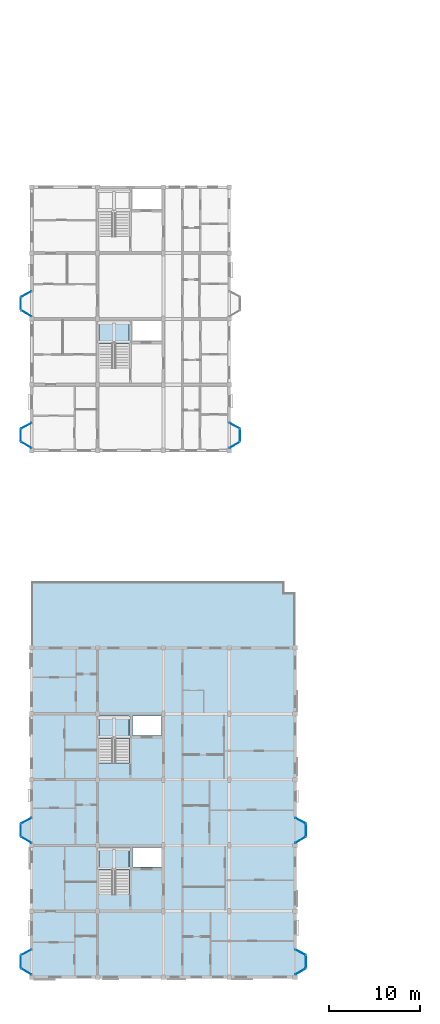
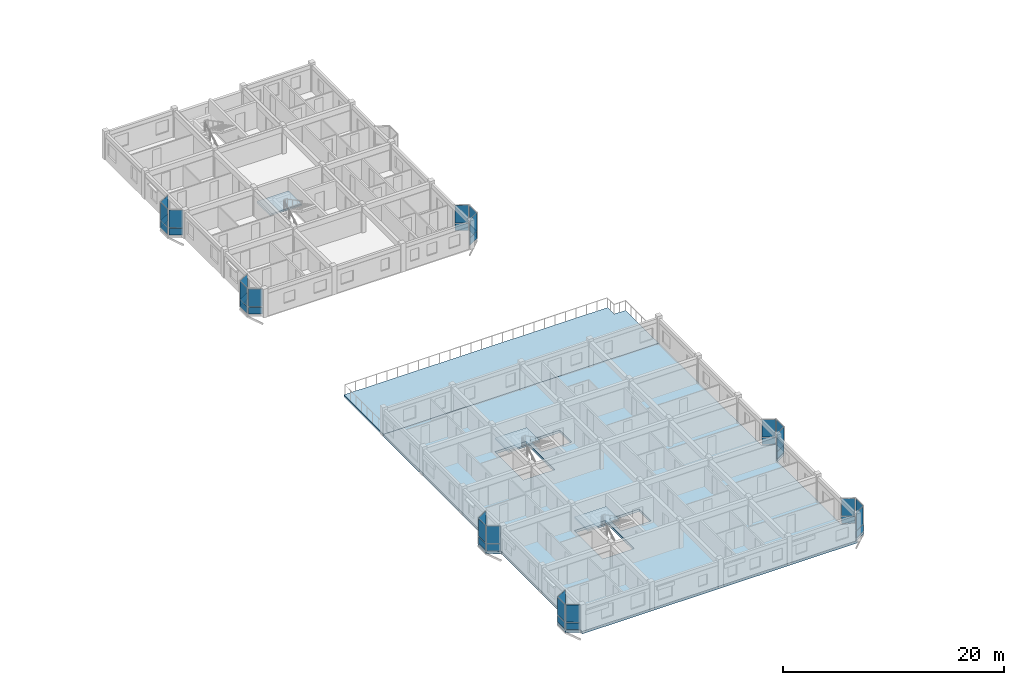
# One storey, part 42 of 70: 42 plates, 5 slabs, 24 elements without a shape of their own.
"""IFC4 building model written with IfcOpenShell, lengths in metres."""

from ifc_helpers import new_model, si_unit, direction, frame, origin, origin_2d, place, context, subcontext, project, spatial, polyline, rectangle, outline, extrude, material, layer, layer_set, type_object, element, aggregate, save


model = new_model("IFC4")

# Units and contexts
model_context = context("Model", 3, precision=1e-05, world=origin(), true_north=direction((0.0, 1.0)))
body_context = subcontext(model_context, "Body", "Model", "MODEL_VIEW")
ifc_project = project(units=[si_unit("LENGTHUNIT", "METRE"), si_unit("AREAUNIT", "SQUARE_METRE"), si_unit("VOLUMEUNIT", "CUBIC_METRE"), si_unit("PLANEANGLEUNIT", "RADIAN"), si_unit("MASSUNIT", "GRAM", prefix="KILO"), si_unit("THERMODYNAMICTEMPERATUREUNIT", "KELVIN"), si_unit("POWERUNIT", "WATT")], contexts=[model_context])

# Site, building, storey
site_placement = place(None, origin())
site = spatial("IfcSite", under=ifc_project, at=site_placement, CompositionType="ELEMENT")
building_placement = place(site_placement, origin())
building = spatial("IfcBuilding", under=site, at=building_placement, Name="Tavuni Mirador Residences", CompositionType="ELEMENT")
storey_placement = place(building_placement, frame((0.0, 0.0, 23.39990234375)))
storey = spatial("IfcBuildingStorey", under=building, at=storey_placement, Name="L07", CompositionType="ELEMENT", Elevation=23.39990234375)

# Curtain wall, plate
ifc_material_1 = material(Name="Anodised aluminium", Category="aluminium")
ifc_layer_1 = layer(ifc_material_1, 0.1650390625, Name="Anodised aluminium", Category="aluminium")
ifc_layer_set_1 = layer_set([ifc_layer_1], Name="Anodised aluminium")
curtain_wall_type_1 = type_object("IfcCurtainWallType", Name="CWT-MIR-A", PredefinedType="NOTDEFINED", material=ifc_layer_set_1)
curtain_wall_1_placement = place(storey_placement, origin())
curtain_wall_1 = element("IfcCurtainWall", 1, at=curtain_wall_1_placement, inside=storey, type_object=curtain_wall_type_1, Name="CW-MIR-A-E2-L07-M1", PredefinedType="NOTDEFINED")
ifc_material_2 = material(Name="Laminated solar-control glass", Category="glass")
ifc_layer_2 = layer(ifc_material_2, 0.02392578125, Name="Laminated solar-control glass", Category="glass")
ifc_layer_set_2 = layer_set([ifc_layer_2], Name="Laminated solar-control glass")
plate_type_1 = type_object("IfcPlateType", Name="CWP-GL24", PredefinedType="CURTAIN_PANEL", material=ifc_layer_set_2)
plate_1_placement = place(storey_placement, frame((33.0, 22.205078125, 0.88037109375), z_axis=(0.0, 0.0, 1.0), x_axis=(0.860640830284, 0.509212491254, 0.0)))
plate_1 = element("IfcPlate", 2, at=plate_1_placement, type_object=plate_type_1, Name="CW-01 panel 1.2", PredefinedType="CURTAIN_PANEL", context=body_context, shape_type="SweptSolid", body=[
    extrude(rectangle(XDim=1.2744140625, YDim=0.02392578125, at=origin_2d()), origin(), (0.0, 0.0, 1.0), 1.929931640625),
])

curtain_wall_2_placement = place(storey_placement, origin())
curtain_wall_2 = element("IfcCurtainWall", 3, at=curtain_wall_2_placement, inside=storey, type_object=curtain_wall_type_1, Name="CW-MIR-A-W2-L07-MF", PredefinedType="NOTDEFINED")
plate_2_placement = place(storey_placement, frame((2.39990234375, 23.27001953125, 0.88037109375), z_axis=(0.0, 0.0, 1.0), x_axis=(0.0, -1.0, 0.0)))
plate_2 = element("IfcPlate", 4, at=plate_2_placement, type_object=plate_type_1, Name="CW-01 panel 1.2", PredefinedType="CURTAIN_PANEL", context=body_context, shape_type="SweptSolid", body=[
    extrude(rectangle(XDim=1.300048828125, YDim=0.02392578125, at=origin_2d()), origin(), (0.0, 0.0, 1.0), 1.929931640625),
])

curtain_wall_3_placement = place(storey_placement, origin())
curtain_wall_3 = element("IfcCurtainWall", 5, at=curtain_wall_3_placement, inside=storey, type_object=curtain_wall_type_1, Name="CW-MIR-A-W1-L07-M2", PredefinedType="NOTDEFINED")
plate_3_placement = place(storey_placement, frame((3.0, 7.804931640625, 0.88037109375), z_axis=(0.0, 0.0, 1.0), x_axis=(0.860640830284, -0.509212491254, 0.0)))
plate_3 = element("IfcPlate", 6, at=plate_3_placement, type_object=plate_type_1, Name="CW-01 panel 1.2", PredefinedType="CURTAIN_PANEL", context=body_context, shape_type="SweptSolid", body=[
    extrude(rectangle(XDim=1.2744140625, YDim=0.02392578125, at=origin_2d()), origin(), (0.0, 0.0, 1.0), 1.929931640625),
])

curtain_wall_4_placement = place(storey_placement, origin())
curtain_wall_4 = element("IfcCurtainWall", 7, at=curtain_wall_4_placement, inside=storey, type_object=curtain_wall_type_1, Name="CW-MIR-B-E1-L07-M1", PredefinedType="NOTDEFINED")
plate_4_placement = place(storey_placement, frame((25.800048828125, 65.405029296875, 0.8798828125), z_axis=(0.0, 0.0, 1.0), x_axis=(0.860640830284, 0.509212491254, 0.0)))
plate_4 = element("IfcPlate", 8, at=plate_4_placement, type_object=plate_type_1, Name="CW-01 panel 1.2", PredefinedType="CURTAIN_PANEL", context=body_context, shape_type="SweptSolid", body=[
    extrude(rectangle(XDim=1.2744140625, YDim=0.02392578125, at=origin_2d()), origin(), (0.0, 0.0, 1.0), 1.969970703125),
])

curtain_wall_5_placement = place(storey_placement, origin())
curtain_wall_5 = element("IfcCurtainWall", 9, at=curtain_wall_5_placement, inside=storey, type_object=curtain_wall_type_1, Name="CW-MIR-B-W2-L07-M2", PredefinedType="NOTDEFINED")
plate_5_placement = place(storey_placement, frame((3.0, 79.804931640625, 0.8798828125), z_axis=(0.0, 0.0, 1.0), x_axis=(0.860640830284, -0.509212491254, 0.0)))
plate_5 = element("IfcPlate", 10, at=plate_5_placement, type_object=plate_type_1, Name="CW-01 panel 1.2", PredefinedType="CURTAIN_PANEL", context=body_context, shape_type="SweptSolid", body=[
    extrude(rectangle(XDim=1.2744140625, YDim=0.02392578125, at=origin_2d()), origin(), (0.0, 0.0, 1.0), 1.969970703125),
])

ifc_layer_3 = layer(ifc_material_1, 0.14990234375, Name="Anodised aluminium", Category="aluminium")
ifc_layer_set_3 = layer_set([ifc_layer_3], Name="Anodised aluminium")
curtain_wall_type_2 = type_object("IfcCurtainWallType", Name="CWT-MIR-B", PredefinedType="NOTDEFINED", material=ifc_layer_set_3)
curtain_wall_6_placement = place(storey_placement, origin())
curtain_wall_6 = element("IfcCurtainWall", 11, at=curtain_wall_6_placement, inside=storey, type_object=curtain_wall_type_2, Name="CW-MIR-A-E1-L07-M1", PredefinedType="NOTDEFINED")
ifc_layer_4 = layer(ifc_material_2, 0.028076171875, Name="Laminated solar-control glass", Category="glass")
ifc_layer_set_4 = layer_set([ifc_layer_4], Name="Laminated solar-control glass")
plate_type_2 = type_object("IfcPlateType", Name="CWP-GL28", PredefinedType="CURTAIN_PANEL", material=ifc_layer_set_4)
plate_6_placement = place(storey_placement, frame((33.0, 7.804931640625, 0.88232421875), z_axis=(0.0, 0.0, 1.0), x_axis=(0.860640830284, 0.509212491254, 0.0)))
plate_6 = element("IfcPlate", 12, at=plate_6_placement, type_object=plate_type_2, Name="CW-02 panel 1.2", PredefinedType="CURTAIN_PANEL", context=body_context, shape_type="SweptSolid", body=[
    extrude(rectangle(XDim=1.264404296875, YDim=0.028076171875, at=origin_2d()), origin(), (0.0, 0.0, 1.0), 1.922607421875),
])

curtain_wall_7_placement = place(storey_placement, origin())
curtain_wall_7 = element("IfcCurtainWall", 13, at=curtain_wall_7_placement, inside=storey, type_object=curtain_wall_type_2, Name="CW-MIR-A-E2-L07-MF", PredefinedType="NOTDEFINED")
plate_7_placement = place(storey_placement, frame((33.60009765625, 23.27001953125, 0.88232421875), z_axis=(0.0, 0.0, 1.0), x_axis=(0.0, 1.0, 0.0)))
plate_7 = element("IfcPlate", 14, at=plate_7_placement, type_object=plate_type_2, Name="CW-02 panel 1.2", PredefinedType="CURTAIN_PANEL", context=body_context, shape_type="SweptSolid", body=[
    extrude(rectangle(XDim=1.2900390625, YDim=0.028076171875, at=origin_2d()), origin(), (0.0, 0.0, 1.0), 1.922607421875),
])

curtain_wall_8_placement = place(storey_placement, origin())
curtain_wall_8 = element("IfcCurtainWall", 15, at=curtain_wall_8_placement, inside=storey, type_object=curtain_wall_type_2, Name="CW-MIR-A-W2-L07-M2", PredefinedType="NOTDEFINED")
plate_8_placement = place(storey_placement, frame((3.0, 22.205078125, 0.88232421875), z_axis=(0.0, 0.0, 1.0), x_axis=(0.860640830284, -0.509212491254, 0.0)))
plate_8 = element("IfcPlate", 16, at=plate_8_placement, type_object=plate_type_2, Name="CW-02 panel 1.2", PredefinedType="CURTAIN_PANEL", context=body_context, shape_type="SweptSolid", body=[
    extrude(rectangle(XDim=1.264404296875, YDim=0.028076171875, at=origin_2d()), origin(), (0.0, 0.0, 1.0), 1.922607421875),
])

curtain_wall_9_placement = place(storey_placement, origin())
curtain_wall_9 = element("IfcCurtainWall", 17, at=curtain_wall_9_placement, inside=storey, type_object=curtain_wall_type_2, Name="CW-MIR-B-E1-L07-MF", PredefinedType="NOTDEFINED")
plate_9_placement = place(storey_placement, frame((26.39990234375, 66.469970703125, 0.882568359375), z_axis=(0.0, 0.0, 1.0), x_axis=(0.0, 1.0, 0.0)))
plate_9 = element("IfcPlate", 18, at=plate_9_placement, type_object=plate_type_2, Name="CW-02 panel 1.2", PredefinedType="CURTAIN_PANEL", context=body_context, shape_type="SweptSolid", body=[
    extrude(rectangle(XDim=1.2900390625, YDim=0.028076171875, at=origin_2d()), origin(), (0.0, 0.0, 1.0), 1.96240234375),
])

curtain_wall_10_placement = place(storey_placement, origin())
curtain_wall_10 = element("IfcCurtainWall", 19, at=curtain_wall_10_placement, inside=storey, type_object=curtain_wall_type_2, Name="CW-MIR-B-W1-L07-M1", PredefinedType="NOTDEFINED")
plate_10_placement = place(storey_placement, frame((3.0, 67.5, 0.882568359375), z_axis=(0.0, 0.0, 1.0), x_axis=(-0.882352941175, -0.470588235296, 0.0)))
plate_10 = element("IfcPlate", 20, at=plate_10_placement, type_object=plate_type_2, Name="CW-02 panel 1.2", PredefinedType="CURTAIN_PANEL", context=body_context, shape_type="SweptSolid", body=[
    extrude(rectangle(XDim=1.22998046875, YDim=0.028076171875, at=origin_2d()), origin(), (0.0, 0.0, 1.0), 1.96240234375),
])

ifc_layer_5 = layer(ifc_material_1, 0.175048828125, Name="Anodised aluminium", Category="aluminium")
ifc_layer_set_5 = layer_set([ifc_layer_5], Name="Anodised aluminium")
curtain_wall_type_3 = type_object("IfcCurtainWallType", Name="CWT-MIR-C", PredefinedType="NOTDEFINED", material=ifc_layer_set_5)
curtain_wall_11_placement = place(storey_placement, origin())
curtain_wall_11 = element("IfcCurtainWall", 21, at=curtain_wall_11_placement, inside=storey, type_object=curtain_wall_type_3, Name="CW-MIR-A-E1-L07-MF", PredefinedType="NOTDEFINED")
ifc_layer_6 = layer(ifc_material_2, 0.031982421875, Name="Laminated solar-control glass", Category="glass")
ifc_layer_set_6 = layer_set([ifc_layer_6], Name="Laminated solar-control glass")
plate_type_3 = type_object("IfcPlateType", Name="CWP-GL32", PredefinedType="CURTAIN_PANEL", material=ifc_layer_set_6)
plate_11_placement = place(storey_placement, frame((33.60009765625, 8.8701171875, 0.88037109375), z_axis=(0.0, 0.0, 1.0), x_axis=(0.0, 1.0, 0.0)))
plate_11 = element("IfcPlate", 22, at=plate_11_placement, type_object=plate_type_3, Name="CW-03 panel 1.2", PredefinedType="CURTAIN_PANEL", context=body_context, shape_type="SweptSolid", body=[
    extrude(rectangle(XDim=1.300048828125, YDim=0.031982421875, at=origin_2d()), origin(), (0.0, 0.0, 1.0), 1.929931640625),
])

curtain_wall_12_placement = place(storey_placement, origin())
curtain_wall_12 = element("IfcCurtainWall", 23, at=curtain_wall_12_placement, inside=storey, type_object=curtain_wall_type_3, Name="CW-MIR-A-E2-L07-M2", PredefinedType="NOTDEFINED")
plate_12_placement = place(storey_placement, frame((33.0, 24.300048828125, 0.88037109375), z_axis=(0.0, 0.0, 1.0), x_axis=(-0.882352941175, 0.470588235296, 0.0)))
plate_12 = element("IfcPlate", 24, at=plate_12_placement, type_object=plate_type_3, Name="CW-03 panel 1.2", PredefinedType="CURTAIN_PANEL", context=body_context, shape_type="SweptSolid", body=[
    extrude(rectangle(XDim=1.239990234375, YDim=0.031982421875, at=origin_2d()), origin(), (0.0, 0.0, 1.0), 1.929931640625),
])

curtain_wall_13_placement = place(storey_placement, origin())
curtain_wall_13 = element("IfcCurtainWall", 25, at=curtain_wall_13_placement, inside=storey, type_object=curtain_wall_type_3, Name="CW-MIR-A-W1-L07-M1", PredefinedType="NOTDEFINED")
plate_13_placement = place(storey_placement, frame((3.0, 9.89990234375, 0.88037109375), z_axis=(0.0, 0.0, 1.0), x_axis=(-0.882352941175, -0.470588235296, 0.0)))
plate_13 = element("IfcPlate", 26, at=plate_13_placement, type_object=plate_type_3, Name="CW-03 panel 1.2", PredefinedType="CURTAIN_PANEL", context=body_context, shape_type="SweptSolid", body=[
    extrude(rectangle(XDim=1.239990234375, YDim=0.031982421875, at=origin_2d()), origin(), (0.0, 0.0, 1.0), 1.929931640625),
])

curtain_wall_14_placement = place(storey_placement, origin())
curtain_wall_14 = element("IfcCurtainWall", 27, at=curtain_wall_14_placement, inside=storey, type_object=curtain_wall_type_3, Name="CW-MIR-B-E1-L07-M2", PredefinedType="NOTDEFINED")
plate_14_placement = place(storey_placement, frame((25.800048828125, 67.5, 0.8798828125), z_axis=(0.0, 0.0, 1.0), x_axis=(-0.882352941175, 0.470588235296, 0.0)))
plate_14 = element("IfcPlate", 28, at=plate_14_placement, type_object=plate_type_3, Name="CW-03 panel 1.2", PredefinedType="CURTAIN_PANEL", context=body_context, shape_type="SweptSolid", body=[
    extrude(rectangle(XDim=1.239990234375, YDim=0.031982421875, at=origin_2d()), origin(), (0.0, 0.0, 1.0), 1.969970703125),
])

curtain_wall_15_placement = place(storey_placement, origin())
curtain_wall_15 = element("IfcCurtainWall", 29, at=curtain_wall_15_placement, inside=storey, type_object=curtain_wall_type_3, Name="CW-MIR-B-W2-L07-M1", PredefinedType="NOTDEFINED")
plate_15_placement = place(storey_placement, frame((3.0, 81.89990234375, 0.8798828125), z_axis=(0.0, 0.0, 1.0), x_axis=(-0.882352941175, -0.470588235296, 0.0)))
plate_15 = element("IfcPlate", 30, at=plate_15_placement, type_object=plate_type_3, Name="CW-03 panel 1.2", PredefinedType="CURTAIN_PANEL", context=body_context, shape_type="SweptSolid", body=[
    extrude(rectangle(XDim=1.239990234375, YDim=0.031982421875, at=origin_2d()), origin(), (0.0, 0.0, 1.0), 1.969970703125),
])

curtain_wall_16_placement = place(storey_placement, origin())
curtain_wall_16 = element("IfcCurtainWall", 31, at=curtain_wall_16_placement, inside=storey, type_object=curtain_wall_type_3, Name="CW-MIR-B-W1-L07-MF", PredefinedType="NOTDEFINED")
plate_16_placement = place(storey_placement, frame((2.39990234375, 66.469970703125, 0.8798828125), z_axis=(0.0, 0.0, 1.0), x_axis=(0.0, -1.0, 0.0)))
plate_16 = element("IfcPlate", 32, at=plate_16_placement, type_object=plate_type_3, Name="CW-03 panel 1.2", PredefinedType="CURTAIN_PANEL", context=body_context, shape_type="SweptSolid", body=[
    extrude(rectangle(XDim=1.300048828125, YDim=0.031982421875, at=origin_2d()), origin(), (0.0, 0.0, 1.0), 1.969970703125),
])

ifc_layer_7 = layer(ifc_material_1, 0.159912109375, Name="Anodised aluminium", Category="aluminium")
ifc_layer_set_7 = layer_set([ifc_layer_7], Name="Anodised aluminium")
curtain_wall_type_4 = type_object("IfcCurtainWallType", Name="CWT-MIR-D", PredefinedType="NOTDEFINED", material=ifc_layer_set_7)
curtain_wall_17_placement = place(storey_placement, origin())
curtain_wall_17 = element("IfcCurtainWall", 33, at=curtain_wall_17_placement, inside=storey, type_object=curtain_wall_type_4, Name="CW-MIR-A-E1-L07-M2", PredefinedType="NOTDEFINED")
ifc_layer_8 = layer(ifc_material_2, 0.035888671875, Name="Laminated solar-control glass", Category="glass")
ifc_layer_set_8 = layer_set([ifc_layer_8], Name="Laminated solar-control glass")
plate_type_4 = type_object("IfcPlateType", Name="CWP-GL36", PredefinedType="CURTAIN_PANEL", material=ifc_layer_set_8)
plate_17_placement = place(storey_placement, frame((33.0, 9.89990234375, 0.88232421875), z_axis=(0.0, 0.0, 1.0), x_axis=(-0.882352941175, 0.470588235296, 0.0)))
plate_17 = element("IfcPlate", 34, at=plate_17_placement, type_object=plate_type_4, Name="CW-04 panel 1.2", PredefinedType="CURTAIN_PANEL", context=body_context, shape_type="SweptSolid", body=[
    extrude(rectangle(XDim=1.22998046875, YDim=0.035888671875, at=origin_2d()), origin(), (0.0, 0.0, 1.0), 1.922607421875),
])

curtain_wall_18_placement = place(storey_placement, origin())
curtain_wall_18 = element("IfcCurtainWall", 35, at=curtain_wall_18_placement, inside=storey, type_object=curtain_wall_type_4, Name="CW-MIR-A-W2-L07-M1", PredefinedType="NOTDEFINED")
plate_18_placement = place(storey_placement, frame((3.0, 24.300048828125, 0.88232421875), z_axis=(0.0, 0.0, 1.0), x_axis=(-0.882352941175, -0.470588235296, 0.0)))
plate_18 = element("IfcPlate", 36, at=plate_18_placement, type_object=plate_type_4, Name="CW-04 panel 1.2", PredefinedType="CURTAIN_PANEL", context=body_context, shape_type="SweptSolid", body=[
    extrude(rectangle(XDim=1.22998046875, YDim=0.035888671875, at=origin_2d()), origin(), (0.0, 0.0, 1.0), 1.922607421875),
])

curtain_wall_19_placement = place(storey_placement, origin())
curtain_wall_19 = element("IfcCurtainWall", 37, at=curtain_wall_19_placement, inside=storey, type_object=curtain_wall_type_4, Name="CW-MIR-A-W1-L07-MF", PredefinedType="NOTDEFINED")
plate_19_placement = place(storey_placement, frame((2.39990234375, 8.8701171875, 0.88232421875), z_axis=(0.0, 0.0, 1.0), x_axis=(0.0, -1.0, 0.0)))
plate_19 = element("IfcPlate", 38, at=plate_19_placement, type_object=plate_type_4, Name="CW-04 panel 1.2", PredefinedType="CURTAIN_PANEL", context=body_context, shape_type="SweptSolid", body=[
    extrude(rectangle(XDim=1.2900390625, YDim=0.035888671875, at=origin_2d()), origin(), (0.0, 0.0, 1.0), 1.922607421875),
])

curtain_wall_20_placement = place(storey_placement, origin())
curtain_wall_20 = element("IfcCurtainWall", 39, at=curtain_wall_20_placement, inside=storey, type_object=curtain_wall_type_4, Name="CW-MIR-B-W2-L07-MF", PredefinedType="NOTDEFINED")
plate_20_placement = place(storey_placement, frame((2.39990234375, 80.8701171875, 0.882568359375), z_axis=(0.0, 0.0, 1.0), x_axis=(0.0, -1.0, 0.0)))
plate_20 = element("IfcPlate", 40, at=plate_20_placement, type_object=plate_type_4, Name="CW-04 panel 1.2", PredefinedType="CURTAIN_PANEL", context=body_context, shape_type="SweptSolid", body=[
    extrude(rectangle(XDim=1.2900390625, YDim=0.035888671875, at=origin_2d()), origin(), (0.0, 0.0, 1.0), 1.96240234375),
])

curtain_wall_21_placement = place(storey_placement, origin())
curtain_wall_21 = element("IfcCurtainWall", 41, at=curtain_wall_21_placement, inside=storey, type_object=curtain_wall_type_4, Name="CW-MIR-B-W1-L07-M2", PredefinedType="NOTDEFINED")
plate_21_placement = place(storey_placement, frame((3.0, 65.405029296875, 0.882568359375), z_axis=(0.0, 0.0, 1.0), x_axis=(0.860640830284, -0.509212491254, 0.0)))
plate_21 = element("IfcPlate", 42, at=plate_21_placement, type_object=plate_type_4, Name="CW-04 panel 1.2", PredefinedType="CURTAIN_PANEL", context=body_context, shape_type="SweptSolid", body=[
    extrude(rectangle(XDim=1.264404296875, YDim=0.035888671875, at=origin_2d()), origin(), (0.0, 0.0, 1.0), 1.96240234375),
])

# Plate
ifc_material_3 = material(Name="Ceramic trencadis mosaic panel", Category="masonry")
ifc_layer_9 = layer(ifc_material_3, 0.0419921875, Name="Ceramic trencadis mosaic panel", Category="masonry")
ifc_layer_set_9 = layer_set([ifc_layer_9], Name="Ceramic trencadis mosaic panel")
plate_type_5 = type_object("IfcPlateType", Name="CWP-SP42", PredefinedType="CURTAIN_PANEL", material=ifc_layer_set_9)
plate_22_placement = place(storey_placement, frame((33.60009765625, 8.8701171875, 0.06005859375), z_axis=(0.0, 0.0, 1.0), x_axis=(0.0, 1.0, 0.0)))
plate_22 = element("IfcPlate", 43, at=plate_22_placement, type_object=plate_type_5, Name="CW-03 panel 1.1", PredefinedType="CURTAIN_PANEL", context=body_context, shape_type="SweptSolid", body=[
    extrude(rectangle(XDim=1.300048828125, YDim=0.0419921875, at=origin_2d()), origin(), (0.0, 0.0, 1.0), 0.760009765625),
])

aggregate(curtain_wall_11, [plate_22, plate_11])

plate_23_placement = place(storey_placement, frame((33.0, 22.205078125, 0.06005859375), z_axis=(0.0, 0.0, 1.0), x_axis=(0.860640830284, 0.509212491254, 0.0)))
plate_23 = element("IfcPlate", 44, at=plate_23_placement, type_object=plate_type_5, Name="CW-01 panel 1.1", PredefinedType="CURTAIN_PANEL", context=body_context, shape_type="SweptSolid", body=[
    extrude(rectangle(XDim=1.2744140625, YDim=0.0419921875, at=origin_2d()), origin(), (0.0, 0.0, 1.0), 0.760009765625),
])

aggregate(curtain_wall_1, [plate_23, plate_1])

plate_24_placement = place(storey_placement, frame((33.0, 24.300048828125, 0.06005859375), z_axis=(0.0, 0.0, 1.0), x_axis=(-0.882352941175, 0.470588235296, 0.0)))
plate_24 = element("IfcPlate", 45, at=plate_24_placement, type_object=plate_type_5, Name="CW-03 panel 1.1", PredefinedType="CURTAIN_PANEL", context=body_context, shape_type="SweptSolid", body=[
    extrude(rectangle(XDim=1.239990234375, YDim=0.0419921875, at=origin_2d()), origin(), (0.0, 0.0, 1.0), 0.760009765625),
])

aggregate(curtain_wall_12, [plate_24, plate_12])

plate_25_placement = place(storey_placement, frame((2.39990234375, 23.27001953125, 0.06005859375), z_axis=(0.0, 0.0, 1.0), x_axis=(0.0, -1.0, 0.0)))
plate_25 = element("IfcPlate", 46, at=plate_25_placement, type_object=plate_type_5, Name="CW-01 panel 1.1", PredefinedType="CURTAIN_PANEL", context=body_context, shape_type="SweptSolid", body=[
    extrude(rectangle(XDim=1.300048828125, YDim=0.0419921875, at=origin_2d()), origin(), (0.0, 0.0, 1.0), 0.760009765625),
])

aggregate(curtain_wall_2, [plate_25, plate_2])

plate_26_placement = place(storey_placement, frame((3.0, 9.89990234375, 0.06005859375), z_axis=(0.0, 0.0, 1.0), x_axis=(-0.882352941175, -0.470588235296, 0.0)))
plate_26 = element("IfcPlate", 47, at=plate_26_placement, type_object=plate_type_5, Name="CW-03 panel 1.1", PredefinedType="CURTAIN_PANEL", context=body_context, shape_type="SweptSolid", body=[
    extrude(rectangle(XDim=1.239990234375, YDim=0.0419921875, at=origin_2d()), origin(), (0.0, 0.0, 1.0), 0.760009765625),
])

aggregate(curtain_wall_13, [plate_26, plate_13])

plate_27_placement = place(storey_placement, frame((3.0, 7.804931640625, 0.06005859375), z_axis=(0.0, 0.0, 1.0), x_axis=(0.860640830284, -0.509212491254, 0.0)))
plate_27 = element("IfcPlate", 48, at=plate_27_placement, type_object=plate_type_5, Name="CW-01 panel 1.1", PredefinedType="CURTAIN_PANEL", context=body_context, shape_type="SweptSolid", body=[
    extrude(rectangle(XDim=1.2744140625, YDim=0.0419921875, at=origin_2d()), origin(), (0.0, 0.0, 1.0), 0.760009765625),
])

aggregate(curtain_wall_3, [plate_27, plate_3])

plate_28_placement = place(storey_placement, frame((25.800048828125, 65.405029296875, 0.06005859375), z_axis=(0.0, 0.0, 1.0), x_axis=(0.860640830284, 0.509212491254, 0.0)))
plate_28 = element("IfcPlate", 49, at=plate_28_placement, type_object=plate_type_5, Name="CW-01 panel 1.1", PredefinedType="CURTAIN_PANEL", context=body_context, shape_type="SweptSolid", body=[
    extrude(rectangle(XDim=1.2744140625, YDim=0.0419921875, at=origin_2d()), origin(), (0.0, 0.0, 1.0), 0.760009765625),
])

aggregate(curtain_wall_4, [plate_28, plate_4])

plate_29_placement = place(storey_placement, frame((25.800048828125, 67.5, 0.06005859375), z_axis=(0.0, 0.0, 1.0), x_axis=(-0.882352941175, 0.470588235296, 0.0)))
plate_29 = element("IfcPlate", 50, at=plate_29_placement, type_object=plate_type_5, Name="CW-03 panel 1.1", PredefinedType="CURTAIN_PANEL", context=body_context, shape_type="SweptSolid", body=[
    extrude(rectangle(XDim=1.239990234375, YDim=0.0419921875, at=origin_2d()), origin(), (0.0, 0.0, 1.0), 0.760009765625),
])

aggregate(curtain_wall_14, [plate_29, plate_14])

plate_30_placement = place(storey_placement, frame((3.0, 81.89990234375, 0.06005859375), z_axis=(0.0, 0.0, 1.0), x_axis=(-0.882352941175, -0.470588235296, 0.0)))
plate_30 = element("IfcPlate", 51, at=plate_30_placement, type_object=plate_type_5, Name="CW-03 panel 1.1", PredefinedType="CURTAIN_PANEL", context=body_context, shape_type="SweptSolid", body=[
    extrude(rectangle(XDim=1.239990234375, YDim=0.0419921875, at=origin_2d()), origin(), (0.0, 0.0, 1.0), 0.760009765625),
])

aggregate(curtain_wall_15, [plate_30, plate_15])

plate_31_placement = place(storey_placement, frame((3.0, 79.804931640625, 0.06005859375), z_axis=(0.0, 0.0, 1.0), x_axis=(0.860640830284, -0.509212491254, 0.0)))
plate_31 = element("IfcPlate", 52, at=plate_31_placement, type_object=plate_type_5, Name="CW-01 panel 1.1", PredefinedType="CURTAIN_PANEL", context=body_context, shape_type="SweptSolid", body=[
    extrude(rectangle(XDim=1.2744140625, YDim=0.0419921875, at=origin_2d()), origin(), (0.0, 0.0, 1.0), 0.760009765625),
])

aggregate(curtain_wall_5, [plate_31, plate_5])

plate_32_placement = place(storey_placement, frame((2.39990234375, 66.469970703125, 0.06005859375), z_axis=(0.0, 0.0, 1.0), x_axis=(0.0, -1.0, 0.0)))
plate_32 = element("IfcPlate", 53, at=plate_32_placement, type_object=plate_type_5, Name="CW-03 panel 1.1", PredefinedType="CURTAIN_PANEL", context=body_context, shape_type="SweptSolid", body=[
    extrude(rectangle(XDim=1.300048828125, YDim=0.0419921875, at=origin_2d()), origin(), (0.0, 0.0, 1.0), 0.760009765625),
])

aggregate(curtain_wall_16, [plate_32, plate_16])

ifc_layer_10 = layer(ifc_material_3, 0.048095703125, Name="Ceramic trencadis mosaic panel", Category="masonry")
ifc_layer_set_10 = layer_set([ifc_layer_10], Name="Ceramic trencadis mosaic panel")
plate_type_6 = type_object("IfcPlateType", Name="CWP-SP48", PredefinedType="CURTAIN_PANEL", material=ifc_layer_set_10)
plate_33_placement = place(storey_placement, frame((33.0, 7.804931640625, 0.065185546875), z_axis=(0.0, 0.0, 1.0), x_axis=(0.860640830284, 0.509212491254, 0.0)))
plate_33 = element("IfcPlate", 54, at=plate_33_placement, type_object=plate_type_6, Name="CW-02 panel 1.1", PredefinedType="CURTAIN_PANEL", context=body_context, shape_type="SweptSolid", body=[
    extrude(rectangle(XDim=1.264404296875, YDim=0.048095703125, at=origin_2d()), origin(), (0.0, 0.0, 1.0), 0.75244140625),
])

aggregate(curtain_wall_6, [plate_33, plate_6])

plate_34_placement = place(storey_placement, frame((33.0, 9.89990234375, 0.065185546875), z_axis=(0.0, 0.0, 1.0), x_axis=(-0.882352941175, 0.470588235296, 0.0)))
plate_34 = element("IfcPlate", 55, at=plate_34_placement, type_object=plate_type_6, Name="CW-04 panel 1.1", PredefinedType="CURTAIN_PANEL", context=body_context, shape_type="SweptSolid", body=[
    extrude(rectangle(XDim=1.22998046875, YDim=0.048095703125, at=origin_2d()), origin(), (0.0, 0.0, 1.0), 0.75244140625),
])

aggregate(curtain_wall_17, [plate_34, plate_17])

plate_35_placement = place(storey_placement, frame((33.60009765625, 23.27001953125, 0.065185546875), z_axis=(0.0, 0.0, 1.0), x_axis=(0.0, 1.0, 0.0)))
plate_35 = element("IfcPlate", 56, at=plate_35_placement, type_object=plate_type_6, Name="CW-02 panel 1.1", PredefinedType="CURTAIN_PANEL", context=body_context, shape_type="SweptSolid", body=[
    extrude(rectangle(XDim=1.2900390625, YDim=0.048095703125, at=origin_2d()), origin(), (0.0, 0.0, 1.0), 0.75244140625),
])

aggregate(curtain_wall_7, [plate_35, plate_7])

plate_36_placement = place(storey_placement, frame((3.0, 24.300048828125, 0.065185546875), z_axis=(0.0, 0.0, 1.0), x_axis=(-0.882352941175, -0.470588235296, 0.0)))
plate_36 = element("IfcPlate", 57, at=plate_36_placement, type_object=plate_type_6, Name="CW-04 panel 1.1", PredefinedType="CURTAIN_PANEL", context=body_context, shape_type="SweptSolid", body=[
    extrude(rectangle(XDim=1.22998046875, YDim=0.048095703125, at=origin_2d()), origin(), (0.0, 0.0, 1.0), 0.75244140625),
])

aggregate(curtain_wall_18, [plate_36, plate_18])

plate_37_placement = place(storey_placement, frame((3.0, 22.205078125, 0.065185546875), z_axis=(0.0, 0.0, 1.0), x_axis=(0.860640830284, -0.509212491254, 0.0)))
plate_37 = element("IfcPlate", 58, at=plate_37_placement, type_object=plate_type_6, Name="CW-02 panel 1.1", PredefinedType="CURTAIN_PANEL", context=body_context, shape_type="SweptSolid", body=[
    extrude(rectangle(XDim=1.264404296875, YDim=0.048095703125, at=origin_2d()), origin(), (0.0, 0.0, 1.0), 0.75244140625),
])

aggregate(curtain_wall_8, [plate_37, plate_8])

plate_38_placement = place(storey_placement, frame((2.39990234375, 8.8701171875, 0.065185546875), z_axis=(0.0, 0.0, 1.0), x_axis=(0.0, -1.0, 0.0)))
plate_38 = element("IfcPlate", 59, at=plate_38_placement, type_object=plate_type_6, Name="CW-04 panel 1.1", PredefinedType="CURTAIN_PANEL", context=body_context, shape_type="SweptSolid", body=[
    extrude(rectangle(XDim=1.2900390625, YDim=0.048095703125, at=origin_2d()), origin(), (0.0, 0.0, 1.0), 0.75244140625),
])

aggregate(curtain_wall_19, [plate_38, plate_19])

plate_39_placement = place(storey_placement, frame((26.39990234375, 66.469970703125, 0.065185546875), z_axis=(0.0, 0.0, 1.0), x_axis=(0.0, 1.0, 0.0)))
plate_39 = element("IfcPlate", 60, at=plate_39_placement, type_object=plate_type_6, Name="CW-02 panel 1.1", PredefinedType="CURTAIN_PANEL", context=body_context, shape_type="SweptSolid", body=[
    extrude(rectangle(XDim=1.2900390625, YDim=0.048095703125, at=origin_2d()), origin(), (0.0, 0.0, 1.0), 0.75244140625),
])

aggregate(curtain_wall_9, [plate_39, plate_9])

plate_40_placement = place(storey_placement, frame((2.39990234375, 80.8701171875, 0.065185546875), z_axis=(0.0, 0.0, 1.0), x_axis=(0.0, -1.0, 0.0)))
plate_40 = element("IfcPlate", 61, at=plate_40_placement, type_object=plate_type_6, Name="CW-04 panel 1.1", PredefinedType="CURTAIN_PANEL", context=body_context, shape_type="SweptSolid", body=[
    extrude(rectangle(XDim=1.2900390625, YDim=0.048095703125, at=origin_2d()), origin(), (0.0, 0.0, 1.0), 0.75244140625),
])

aggregate(curtain_wall_20, [plate_40, plate_20])

plate_41_placement = place(storey_placement, frame((3.0, 67.5, 0.065185546875), z_axis=(0.0, 0.0, 1.0), x_axis=(-0.882352941175, -0.470588235296, 0.0)))
plate_41 = element("IfcPlate", 62, at=plate_41_placement, type_object=plate_type_6, Name="CW-02 panel 1.1", PredefinedType="CURTAIN_PANEL", context=body_context, shape_type="SweptSolid", body=[
    extrude(rectangle(XDim=1.22998046875, YDim=0.048095703125, at=origin_2d()), origin(), (0.0, 0.0, 1.0), 0.75244140625),
])

aggregate(curtain_wall_10, [plate_41, plate_10])

plate_42_placement = place(storey_placement, frame((3.0, 65.405029296875, 0.065185546875), z_axis=(0.0, 0.0, 1.0), x_axis=(0.860640830284, -0.509212491254, 0.0)))
plate_42 = element("IfcPlate", 63, at=plate_42_placement, type_object=plate_type_6, Name="CW-04 panel 1.1", PredefinedType="CURTAIN_PANEL", context=body_context, shape_type="SweptSolid", body=[
    extrude(rectangle(XDim=1.264404296875, YDim=0.048095703125, at=origin_2d()), origin(), (0.0, 0.0, 1.0), 0.75244140625),
])

aggregate(curtain_wall_21, [plate_42, plate_21])

# Slab
ifc_material_4 = material(Name="Prestressed concrete C45/55", Category="concrete")
ifc_layer_11 = layer(ifc_material_4, 0.280029296875, Name="Prestressed concrete C45/55", Category="concrete")
ifc_layer_set_11 = layer_set([ifc_layer_11], Name="Prestressed concrete C45/55")
slab_type_1 = type_object("IfcSlabType", Name="SLT-FLR280", PredefinedType="FLOOR", material=ifc_layer_set_11)
slab_1_placement = place(storey_placement, frame((0.0, 0.0, -0.27978515625)))
element("IfcSlab", 64, at=slab_1_placement, inside=storey, type_object=slab_type_1, Name="SLB-BLK-A-L07", PredefinedType="FLOOR", context=body_context, shape_type="SweptSolid", body=[
    extrude(outline(polyline([(3.60009765625, 7.199951171875), (32.39990234375, 7.199951171875), (32.39990234375, 7.449951171875), (33.60009765625, 8.159912109375), (33.60009765625, 9.580078125), (32.39990234375, 10.219970703125), (32.39990234375, 21.85009765625), (33.60009765625, 22.56005859375), (33.60009765625, 23.97998046875), (32.39990234375, 24.6201171875), (32.39990234375, 43.199951171875), (3.60009765625, 43.199951171875), (3.60009765625, 24.6201171875), (2.39990234375, 23.97998046875), (2.39990234375, 22.56005859375), (3.60009765625, 21.85009765625), (3.60009765625, 10.219970703125), (2.39990234375, 9.580078125), (2.39990234375, 8.159912109375), (3.60009765625, 7.449951171875), (3.60009765625, 7.199951171875)]), holes=[polyline([(10.9599609375, 16.2080078125), (14.239990234375, 16.2080078125), (14.239990234375, 21.360107421875), (10.9599609375, 21.360107421875), (10.9599609375, 16.2080078125)]), polyline([(14.6201171875, 19.219970703125), (17.780029296875, 19.219970703125), (17.780029296875, 21.3798828125), (14.6201171875, 21.3798828125), (14.6201171875, 19.219970703125)]), polyline([(10.9599609375, 30.60791015625), (14.239990234375, 30.60791015625), (14.239990234375, 35.760009765625), (10.9599609375, 35.760009765625), (10.9599609375, 30.60791015625)]), polyline([(14.6201171875, 33.6201171875), (17.780029296875, 33.6201171875), (17.780029296875, 35.780029296875), (14.6201171875, 35.780029296875), (14.6201171875, 33.6201171875)])]), origin(), (0.0, 0.0, 1.0), 0.27978515625),
])

# Stair, slab
ifc_material_5 = material(Name="Precast concrete C40/50", Category="concrete")
stair_type = type_object("IfcStairType", Name="STT-TYP", PredefinedType="HALF_TURN_STAIR", material=ifc_material_5)
stair_1_placement = place(storey_placement, origin())
stair_1 = element("IfcStair", 65, at=stair_1_placement, inside=storey, type_object=stair_type, Name="Protected exit stair ST1 (L07)", PredefinedType="HALF_TURN_STAIR")
ifc_layer_12 = layer(ifc_material_5, 0.179931640625, Name="Precast concrete C40/50", Category="concrete")
ifc_layer_set_12 = layer_set([ifc_layer_12], Name="Precast concrete C40/50")
slab_type_2 = type_object("IfcSlabType", Name="SLT-LND180", PredefinedType="LANDING", material=ifc_layer_set_12)
slab_2_placement = place(storey_placement, frame((0.0, 0.0, 1.39501953125)))
slab_2 = element("IfcSlab", 66, at=slab_2_placement, type_object=slab_type_2, Name="ST1 landing 1", PredefinedType="LANDING", context=body_context, shape_type="SweptSolid", body=[
    extrude(outline(polyline([(10.93994140625, 18.89208984375), (14.260009765625, 18.89208984375), (14.260009765625, 21.300048828125), (10.93994140625, 21.300048828125), (10.93994140625, 18.89208984375)])), origin(), (0.0, 0.0, 1.0), 0.18017578125),
])
aggregate(stair_1, [slab_2])

stair_2_placement = place(storey_placement, origin())
stair_2 = element("IfcStair", 67, at=stair_2_placement, inside=storey, type_object=stair_type, Name="Protected exit stair ST2 (L07)", PredefinedType="HALF_TURN_STAIR")
slab_3_placement = place(storey_placement, frame((0.0, 0.0, 1.39501953125)))
slab_3 = element("IfcSlab", 68, at=slab_3_placement, type_object=slab_type_2, Name="ST2 landing 1", PredefinedType="LANDING", context=body_context, shape_type="SweptSolid", body=[
    extrude(outline(polyline([(10.93994140625, 33.2919921875), (14.260009765625, 33.2919921875), (14.260009765625, 35.699951171875), (10.93994140625, 35.699951171875), (10.93994140625, 33.2919921875)])), origin(), (0.0, 0.0, 1.0), 0.18017578125),
])
aggregate(stair_2, [slab_3])

stair_3_placement = place(storey_placement, origin())
stair_3 = element("IfcStair", 69, at=stair_3_placement, inside=storey, type_object=stair_type, Name="Protected exit stair ST3 (L07)", PredefinedType="HALF_TURN_STAIR")
slab_4_placement = place(storey_placement, frame((0.0, 0.0, 1.39501953125)))
slab_4 = element("IfcSlab", 70, at=slab_4_placement, type_object=slab_type_2, Name="ST3 landing 1", PredefinedType="LANDING", context=body_context, shape_type="SweptSolid", body=[
    extrude(outline(polyline([(10.93994140625, 76.491943359375), (14.260009765625, 76.491943359375), (14.260009765625, 78.89990234375), (10.93994140625, 78.89990234375), (10.93994140625, 76.491943359375)])), origin(), (0.0, 0.0, 1.0), 0.18017578125),
])
aggregate(stair_3, [slab_4])

# Slab
ifc_layer_13 = layer(ifc_material_4, 0.205078125, Name="Prestressed concrete C45/55", Category="concrete")
ifc_layer_set_13 = layer_set([ifc_layer_13], Name="Prestressed concrete C45/55")
slab_type_3 = type_object("IfcSlabType", Name="SLT-TER205", PredefinedType="FLOOR", material=ifc_layer_set_13)
slab_5_placement = place(storey_placement, frame((0.0, 0.0, -0.204833984375)))
element("IfcSlab", 71, at=slab_5_placement, inside=storey, type_object=slab_type_3, Name="Roof terrace TER-A-L07", PredefinedType="FLOOR", context=body_context, shape_type="SweptSolid", body=[
    extrude(outline(polyline([(3.60009765625, 43.199951171875), (32.39990234375, 43.199951171875), (32.39990234375, 49.199951171875), (31.199951171875, 49.199951171875), (31.199951171875, 50.39990234375), (3.60009765625, 50.39990234375), (3.60009765625, 43.199951171875)])), origin(), (0.0, 0.0, 1.0), 0.204833984375),
])

save(model, "model.ifc")
